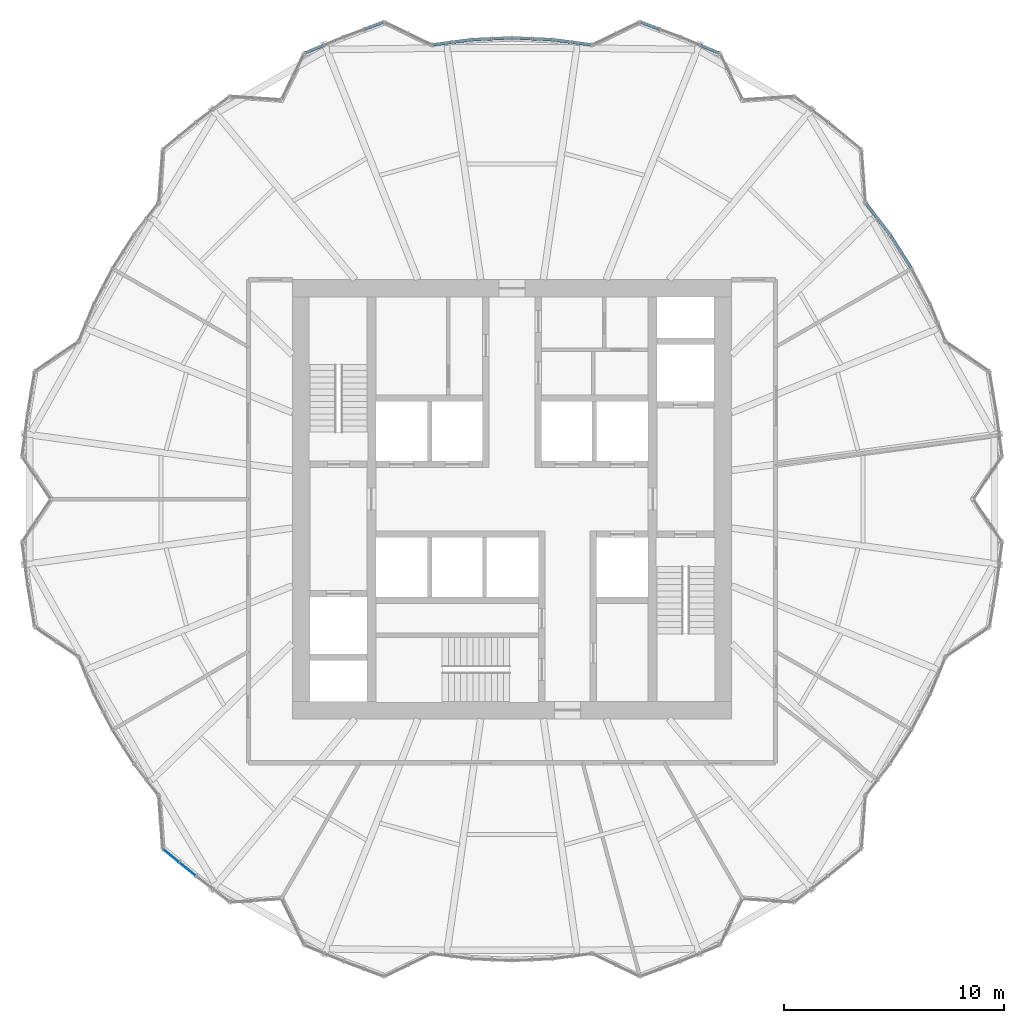
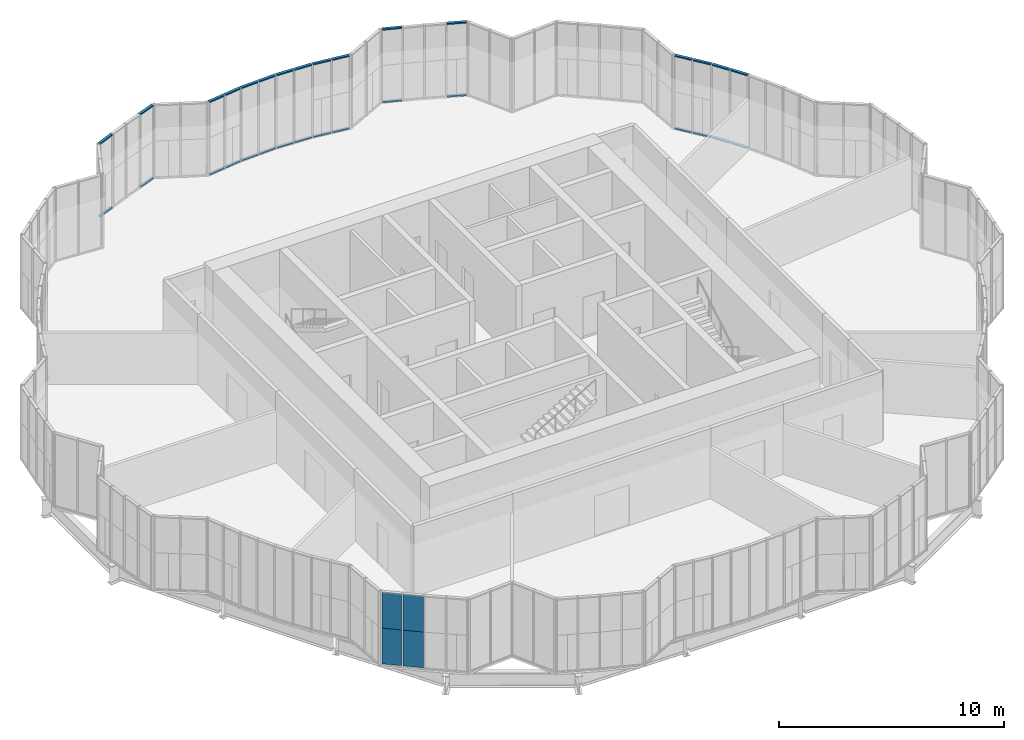
# One storey, part 11 of 22: 32 members, 4 plates, 11 elements without a shape of their own.
"""IFC4 building model written with IfcOpenShell, lengths in metres."""

from ifc_helpers import new_model, si_unit, direction, frame, origin, origin_2d, place, context, subcontext, project, spatial, rectangle, extrude, material, layer, layer_set, material_profile, profile_set, type_object, element, aggregate, save


model = new_model("IFC4")

# Units and contexts
model_context = context("Model", 3, precision=1e-05, world=origin(), true_north=direction((0.0, 1.0)))
body_context = subcontext(model_context, "Body", "Model", "MODEL_VIEW")
ifc_project = project(units=[si_unit("LENGTHUNIT", "METRE"), si_unit("AREAUNIT", "SQUARE_METRE"), si_unit("VOLUMEUNIT", "CUBIC_METRE"), si_unit("PLANEANGLEUNIT", "RADIAN"), si_unit("MASSUNIT", "GRAM", prefix="KILO")], contexts=[model_context])

# Site, building, storey
site_placement = place(None, origin())
site = spatial("IfcSite", under=ifc_project, at=site_placement, CompositionType="ELEMENT")
building_placement = place(site_placement, origin())
building = spatial("IfcBuilding", under=site, at=building_placement, Name="Golbaran Civic Tower", CompositionType="ELEMENT")
storey_placement = place(building_placement, frame((0.0, 0.0, 29.0)))
storey = spatial("IfcBuildingStorey", under=building, at=storey_placement, Name="L06", CompositionType="ELEMENT", Elevation=29.0)

# Curtain wall, members
ifc_material_1 = material(Name="Aluminium and glass", Category="aluminium")
curtain_wall_type = type_object("IfcCurtainWallType", Name="INNER SKIN CURTAIN WALL", PredefinedType="NOTDEFINED", material=ifc_material_1)
curtain_wall_1_placement = place(storey_placement, origin())
curtain_wall_1 = element("IfcCurtainWall", 1, at=curtain_wall_1_placement, inside=storey, type_object=curtain_wall_type, Name="Inner skin L06 facet 7 CW1", ObjectType="INNER SKIN", PredefinedType="USERDEFINED")
ifc_material_2 = material(Name="Aluminium", Category="aluminium")
ifc_material_profile = material_profile(ifc_material_2, rectangle(XDim=0.139892578125, YDim=0.06494140625, at=origin_2d()), Name="INNER SKIN CURTAIN WALL TRANSOM")
ifc_profile_set = profile_set([ifc_material_profile], Name="Aluminium")
member_type = type_object("IfcMemberType", Name="INNER SKIN CURTAIN WALL TRANSOM", PredefinedType="USERDEFINED", material=ifc_profile_set)
member_1_placement = place(storey_placement, frame((18.17333984375, 10.530029296875, 0.032470703125), z_axis=(-0.537302349411, 0.843389699556, 0.0), x_axis=(-0.843389699556, -0.537302349411, 0.0)))
member_1 = element("IfcMember", 2, at=member_1_placement, type_object=member_type, Name="CW1 transom 1.1", ObjectType="TRANSOM", PredefinedType="USERDEFINED", context=body_context, shape_type="SweptSolid", body=[
    extrude(rectangle(XDim=0.139892578125, YDim=0.06494140625, at=origin_2d()), origin(), (0.0, 0.0, 1.0), 0.85107421875),
])
member_2_placement = place(storey_placement, frame((18.17333984375, 10.530029296875, 3.967529296875), z_axis=(-0.537302349411, 0.843389699556, 0.0), x_axis=(-0.843389699556, -0.537302349411, 0.0)))
member_2 = element("IfcMember", 3, at=member_2_placement, type_object=member_type, Name="CW1 transom 1.2", ObjectType="TRANSOM", PredefinedType="USERDEFINED", context=body_context, shape_type="SweptSolid", body=[
    extrude(rectangle(XDim=0.139892578125, YDim=0.06494140625, at=origin_2d()), origin(), (0.0, 0.0, 1.0), 0.85107421875),
])
member_3_placement = place(storey_placement, frame((17.68115234375, 11.302734375, 0.032470703125), z_axis=(-0.537506352684, 0.843259699514, 0.0), x_axis=(-0.843259699514, -0.537506352684, 0.0)))
member_3 = element("IfcMember", 4, at=member_3_placement, type_object=member_type, Name="CW1 transom 2.1", ObjectType="TRANSOM", PredefinedType="USERDEFINED", context=body_context, shape_type="SweptSolid", body=[
    extrude(rectangle(XDim=0.139892578125, YDim=0.06494140625, at=origin_2d()), origin(), (0.0, 0.0, 1.0), 0.85107421875),
])
member_4_placement = place(storey_placement, frame((17.68115234375, 11.302734375, 3.967529296875), z_axis=(-0.537506352684, 0.843259699514, 0.0), x_axis=(-0.843259699514, -0.537506352684, 0.0)))
member_4 = element("IfcMember", 5, at=member_4_placement, type_object=member_type, Name="CW1 transom 2.2", ObjectType="TRANSOM", PredefinedType="USERDEFINED", context=body_context, shape_type="SweptSolid", body=[
    extrude(rectangle(XDim=0.139892578125, YDim=0.06494140625, at=origin_2d()), origin(), (0.0, 0.0, 1.0), 0.85107421875),
])
aggregate(curtain_wall_1, [member_1, member_2, member_3, member_4])

curtain_wall_2_placement = place(storey_placement, origin())
curtain_wall_2 = element("IfcCurtainWall", 6, at=curtain_wall_2_placement, inside=storey, type_object=curtain_wall_type, Name="Inner skin L06 facet 8 CW1", ObjectType="INNER SKIN", PredefinedType="USERDEFINED")
member_5_placement = place(storey_placement, frame((17.1865234375, 12.07373046875, 0.032470703125), z_axis=(-0.608864956283, 0.793273890287, 0.0), x_axis=(-0.793273890287, -0.608864956283, 0.0)))
member_5 = element("IfcMember", 7, at=member_5_placement, type_object=member_type, Name="CW1 transom 1.1", ObjectType="TRANSOM", PredefinedType="USERDEFINED", context=body_context, shape_type="SweptSolid", body=[
    extrude(rectangle(XDim=0.139892578125, YDim=0.06494140625, at=origin_2d()), origin(), (0.0, 0.0, 1.0), 0.851318359375),
])
member_6_placement = place(storey_placement, frame((17.1865234375, 12.07373046875, 3.967529296875), z_axis=(-0.608864956283, 0.793273890287, 0.0), x_axis=(-0.793273890287, -0.608864956283, 0.0)))
member_6 = element("IfcMember", 8, at=member_6_placement, type_object=member_type, Name="CW1 transom 1.2", ObjectType="TRANSOM", PredefinedType="USERDEFINED", context=body_context, shape_type="SweptSolid", body=[
    extrude(rectangle(XDim=0.139892578125, YDim=0.06494140625, at=origin_2d()), origin(), (0.0, 0.0, 1.0), 0.851318359375),
])
member_7_placement = place(storey_placement, frame((16.628662109375, 12.800537109375, 0.032470703125), z_axis=(-0.608600551426, 0.793476760091, 0.0), x_axis=(-0.793476760091, -0.608600551426, 0.0)))
member_7 = element("IfcMember", 9, at=member_7_placement, type_object=member_type, Name="CW1 transom 2.1", ObjectType="TRANSOM", PredefinedType="USERDEFINED", context=body_context, shape_type="SweptSolid", body=[
    extrude(rectangle(XDim=0.139892578125, YDim=0.06494140625, at=origin_2d()), origin(), (0.0, 0.0, 1.0), 0.81884765625),
])
member_8_placement = place(storey_placement, frame((16.628662109375, 12.800537109375, 3.967529296875), z_axis=(-0.608600551426, 0.793476760091, 0.0), x_axis=(-0.793476760091, -0.608600551426, 0.0)))
member_8 = element("IfcMember", 10, at=member_8_placement, type_object=member_type, Name="CW1 transom 2.2", ObjectType="TRANSOM", PredefinedType="USERDEFINED", context=body_context, shape_type="SweptSolid", body=[
    extrude(rectangle(XDim=0.139892578125, YDim=0.06494140625, at=origin_2d()), origin(), (0.0, 0.0, 1.0), 0.81884765625),
])
aggregate(curtain_wall_2, [member_5, member_6, member_7, member_8])

curtain_wall_3_placement = place(storey_placement, origin())
curtain_wall_3 = element("IfcCurtainWall", 11, at=curtain_wall_3_placement, inside=storey, type_object=curtain_wall_type, Name="Inner skin L06 facet 14 CW1", ObjectType="INNER SKIN", PredefinedType="USERDEFINED")
member_9_placement = place(storey_placement, frame((9.40576171875, 20.324462890625, 0.032470703125), z_axis=(-0.923928870591, 0.382564297979, 0.0), x_axis=(-0.382564297979, -0.923928870591, 0.0)))
member_9 = element("IfcMember", 12, at=member_9_placement, type_object=member_type, Name="CW1 transom 1.1", ObjectType="TRANSOM", PredefinedType="USERDEFINED", context=body_context, shape_type="SweptSolid", body=[
    extrude(rectangle(XDim=0.139892578125, YDim=0.06494140625, at=origin_2d()), origin(), (0.0, 0.0, 1.0), 0.87939453125),
])
member_10_placement = place(storey_placement, frame((9.40576171875, 20.324462890625, 3.967529296875), z_axis=(-0.923928870591, 0.382564297979, 0.0), x_axis=(-0.382564297979, -0.923928870591, 0.0)))
member_10 = element("IfcMember", 13, at=member_10_placement, type_object=member_type, Name="CW1 transom 1.2", ObjectType="TRANSOM", PredefinedType="USERDEFINED", context=body_context, shape_type="SweptSolid", body=[
    extrude(rectangle(XDim=0.139892578125, YDim=0.06494140625, at=origin_2d()), origin(), (0.0, 0.0, 1.0), 0.87939453125),
])
aggregate(curtain_wall_3, [member_9, member_10])

curtain_wall_4_placement = place(storey_placement, origin())
curtain_wall_4 = element("IfcCurtainWall", 14, at=curtain_wall_4_placement, inside=storey, type_object=curtain_wall_type, Name="Inner skin L06 facet 15 CW1", ObjectType="INNER SKIN", PredefinedType="USERDEFINED")
member_11_placement = place(storey_placement, frame((6.7119140625, 21.402587890625, 0.032470703125), z_axis=(-0.936465417096, 0.350759921575, 0.0), x_axis=(-0.350759921575, -0.936465417096, 0.0)))
member_11 = element("IfcMember", 15, at=member_11_placement, type_object=member_type, Name="CW1 transom 2.1", ObjectType="TRANSOM", PredefinedType="USERDEFINED", context=body_context, shape_type="SweptSolid", body=[
    extrude(rectangle(XDim=0.139892578125, YDim=0.06494140625, at=origin_2d()), origin(), (0.0, 0.0, 1.0), 0.88330078125),
])
member_12_placement = place(storey_placement, frame((6.7119140625, 21.402587890625, 3.967529296875), z_axis=(-0.936465417096, 0.350759921575, 0.0), x_axis=(-0.350759921575, -0.936465417096, 0.0)))
member_12 = element("IfcMember", 16, at=member_12_placement, type_object=member_type, Name="CW1 transom 2.2", ObjectType="TRANSOM", PredefinedType="USERDEFINED", context=body_context, shape_type="SweptSolid", body=[
    extrude(rectangle(XDim=0.139892578125, YDim=0.06494140625, at=origin_2d()), origin(), (0.0, 0.0, 1.0), 0.88330078125),
])
aggregate(curtain_wall_4, [member_11, member_12])

curtain_wall_5_placement = place(storey_placement, origin())
curtain_wall_5 = element("IfcCurtainWall", 17, at=curtain_wall_5_placement, inside=storey, type_object=curtain_wall_type, Name="Inner skin L06 facet 17 CW1", ObjectType="INNER SKIN", PredefinedType="USERDEFINED")
member_13_placement = place(storey_placement, frame((3.5830078125, 20.6943359375, 0.032470703125), z_axis=(-0.99143500172, 0.130601061881, 0.0), x_axis=(-0.130601061881, -0.99143500172, 0.0)))
member_13 = element("IfcMember", 18, at=member_13_placement, type_object=member_type, Name="CW1 transom 1.1", ObjectType="TRANSOM", PredefinedType="USERDEFINED", context=body_context, shape_type="SweptSolid", body=[
    extrude(rectangle(XDim=0.139892578125, YDim=0.06494140625, at=origin_2d()), origin(), (0.0, 0.0, 1.0), 0.81884765625),
])
member_14_placement = place(storey_placement, frame((3.5830078125, 20.6943359375, 3.967529296875), z_axis=(-0.99143500172, 0.130601061881, 0.0), x_axis=(-0.130601061881, -0.99143500172, 0.0)))
member_14 = element("IfcMember", 19, at=member_14_placement, type_object=member_type, Name="CW1 transom 1.2", ObjectType="TRANSOM", PredefinedType="USERDEFINED", context=body_context, shape_type="SweptSolid", body=[
    extrude(rectangle(XDim=0.139892578125, YDim=0.06494140625, at=origin_2d()), origin(), (0.0, 0.0, 1.0), 0.81884765625),
])
member_15_placement = place(storey_placement, frame((2.706787109375, 20.809814453125, 0.032470703125), z_axis=(-0.991444528425, 0.13052872119, 0.0), x_axis=(-0.13052872119, -0.991444528425, 0.0)))
member_15 = element("IfcMember", 20, at=member_15_placement, type_object=member_type, Name="CW1 transom 2.1", ObjectType="TRANSOM", PredefinedType="USERDEFINED", context=body_context, shape_type="SweptSolid", body=[
    extrude(rectangle(XDim=0.139892578125, YDim=0.06494140625, at=origin_2d()), origin(), (0.0, 0.0, 1.0), 0.85107421875),
])
member_16_placement = place(storey_placement, frame((2.706787109375, 20.809814453125, 3.967529296875), z_axis=(-0.991444528425, 0.13052872119, 0.0), x_axis=(-0.13052872119, -0.991444528425, 0.0)))
member_16 = element("IfcMember", 21, at=member_16_placement, type_object=member_type, Name="CW1 transom 2.2", ObjectType="TRANSOM", PredefinedType="USERDEFINED", context=body_context, shape_type="SweptSolid", body=[
    extrude(rectangle(XDim=0.139892578125, YDim=0.06494140625, at=origin_2d()), origin(), (0.0, 0.0, 1.0), 0.85107421875),
])
aggregate(curtain_wall_5, [member_13, member_14, member_15, member_16])

curtain_wall_6_placement = place(storey_placement, origin())
curtain_wall_6 = element("IfcCurtainWall", 22, at=curtain_wall_6_placement, inside=storey, type_object=curtain_wall_type, Name="Inner skin L06 facet 18 CW1", ObjectType="INNER SKIN", PredefinedType="USERDEFINED")
member_17_placement = place(storey_placement, frame((1.79833984375, 20.926513671875, 0.032470703125), z_axis=(-0.99904965466, 0.043586552098, 0.0), x_axis=(-0.043586552098, -0.99904965466, 0.0)))
member_17 = element("IfcMember", 23, at=member_17_placement, type_object=member_type, Name="CW1 transom 1.1", ObjectType="TRANSOM", PredefinedType="USERDEFINED", context=body_context, shape_type="SweptSolid", body=[
    extrude(rectangle(XDim=0.139892578125, YDim=0.06494140625, at=origin_2d()), origin(), (0.0, 0.0, 1.0), 0.851318359375),
])
member_18_placement = place(storey_placement, frame((1.79833984375, 20.926513671875, 3.967529296875), z_axis=(-0.99904965466, 0.043586552098, 0.0), x_axis=(-0.043586552098, -0.99904965466, 0.0)))
member_18 = element("IfcMember", 24, at=member_18_placement, type_object=member_type, Name="CW1 transom 1.2", ObjectType="TRANSOM", PredefinedType="USERDEFINED", context=body_context, shape_type="SweptSolid", body=[
    extrude(rectangle(XDim=0.139892578125, YDim=0.06494140625, at=origin_2d()), origin(), (0.0, 0.0, 1.0), 0.851318359375),
])
member_19_placement = place(storey_placement, frame((0.8828125, 20.966552734375, 0.032470703125), z_axis=(-0.999049109655, 0.043599042397, 0.0), x_axis=(-0.043599042397, -0.999049109655, 0.0)))
member_19 = element("IfcMember", 25, at=member_19_placement, type_object=member_type, Name="CW1 transom 2.1", ObjectType="TRANSOM", PredefinedType="USERDEFINED", context=body_context, shape_type="SweptSolid", body=[
    extrude(rectangle(XDim=0.139892578125, YDim=0.06494140625, at=origin_2d()), origin(), (0.0, 0.0, 1.0), 0.85107421875),
])
member_20_placement = place(storey_placement, frame((0.8828125, 20.966552734375, 3.967529296875), z_axis=(-0.999049109655, 0.043599042397, 0.0), x_axis=(-0.043599042397, -0.999049109655, 0.0)))
member_20 = element("IfcMember", 26, at=member_20_placement, type_object=member_type, Name="CW1 transom 2.2", ObjectType="TRANSOM", PredefinedType="USERDEFINED", context=body_context, shape_type="SweptSolid", body=[
    extrude(rectangle(XDim=0.139892578125, YDim=0.06494140625, at=origin_2d()), origin(), (0.0, 0.0, 1.0), 0.85107421875),
])
aggregate(curtain_wall_6, [member_17, member_18, member_19, member_20])

curtain_wall_7_placement = place(storey_placement, origin())
curtain_wall_7 = element("IfcCurtainWall", 27, at=curtain_wall_7_placement, inside=storey, type_object=curtain_wall_type, Name="Inner skin L06 facet 19 CW1", ObjectType="INNER SKIN", PredefinedType="USERDEFINED")
member_21_placement = place(storey_placement, frame((-0.032470703125, 21.003662109375, 0.032470703125), z_axis=(-0.999049109655, -0.043599042397, 0.0), x_axis=(0.043599042397, -0.999049109655, 0.0)))
member_21 = element("IfcMember", 28, at=member_21_placement, type_object=member_type, Name="CW1 transom 1.1", ObjectType="TRANSOM", PredefinedType="USERDEFINED", context=body_context, shape_type="SweptSolid", body=[
    extrude(rectangle(XDim=0.139892578125, YDim=0.06494140625, at=origin_2d()), origin(), (0.0, 0.0, 1.0), 0.85107421875),
])
member_22_placement = place(storey_placement, frame((-0.032470703125, 21.003662109375, 3.967529296875), z_axis=(-0.999049109655, -0.043599042397, 0.0), x_axis=(0.043599042397, -0.999049109655, 0.0)))
member_22 = element("IfcMember", 29, at=member_22_placement, type_object=member_type, Name="CW1 transom 1.2", ObjectType="TRANSOM", PredefinedType="USERDEFINED", context=body_context, shape_type="SweptSolid", body=[
    extrude(rectangle(XDim=0.139892578125, YDim=0.06494140625, at=origin_2d()), origin(), (0.0, 0.0, 1.0), 0.85107421875),
])
member_23_placement = place(storey_placement, frame((-0.94775390625, 20.963623046875, 0.032470703125), z_axis=(-0.99904965466, -0.043586552098, 0.0), x_axis=(0.043586552098, -0.99904965466, 0.0)))
member_23 = element("IfcMember", 30, at=member_23_placement, type_object=member_type, Name="CW1 transom 2.1", ObjectType="TRANSOM", PredefinedType="USERDEFINED", context=body_context, shape_type="SweptSolid", body=[
    extrude(rectangle(XDim=0.139892578125, YDim=0.06494140625, at=origin_2d()), origin(), (0.0, 0.0, 1.0), 0.851318359375),
])
member_24_placement = place(storey_placement, frame((-0.94775390625, 20.963623046875, 3.967529296875), z_axis=(-0.99904965466, -0.043586552098, 0.0), x_axis=(0.043586552098, -0.99904965466, 0.0)))
member_24 = element("IfcMember", 31, at=member_24_placement, type_object=member_type, Name="CW1 transom 2.2", ObjectType="TRANSOM", PredefinedType="USERDEFINED", context=body_context, shape_type="SweptSolid", body=[
    extrude(rectangle(XDim=0.139892578125, YDim=0.06494140625, at=origin_2d()), origin(), (0.0, 0.0, 1.0), 0.851318359375),
])
aggregate(curtain_wall_7, [member_21, member_22, member_23, member_24])

curtain_wall_8_placement = place(storey_placement, origin())
curtain_wall_8 = element("IfcCurtainWall", 32, at=curtain_wall_8_placement, inside=storey, type_object=curtain_wall_type, Name="Inner skin L06 facet 20 CW1", ObjectType="INNER SKIN", PredefinedType="USERDEFINED")
member_25_placement = place(storey_placement, frame((-1.863037109375, 20.9208984375, 0.032470703125), z_axis=(-0.991444528425, -0.13052872119, 0.0), x_axis=(0.13052872119, -0.991444528425, 0.0)))
member_25 = element("IfcMember", 33, at=member_25_placement, type_object=member_type, Name="CW1 transom 1.1", ObjectType="TRANSOM", PredefinedType="USERDEFINED", context=body_context, shape_type="SweptSolid", body=[
    extrude(rectangle(XDim=0.139892578125, YDim=0.06494140625, at=origin_2d()), origin(), (0.0, 0.0, 1.0), 0.85107421875),
])
member_26_placement = place(storey_placement, frame((-1.863037109375, 20.9208984375, 3.967529296875), z_axis=(-0.991444528425, -0.13052872119, 0.0), x_axis=(0.13052872119, -0.991444528425, 0.0)))
member_26 = element("IfcMember", 34, at=member_26_placement, type_object=member_type, Name="CW1 transom 1.2", ObjectType="TRANSOM", PredefinedType="USERDEFINED", context=body_context, shape_type="SweptSolid", body=[
    extrude(rectangle(XDim=0.139892578125, YDim=0.06494140625, at=origin_2d()), origin(), (0.0, 0.0, 1.0), 0.85107421875),
])
member_27_placement = place(storey_placement, frame((-2.771240234375, 20.80126953125, 0.032470703125), z_axis=(-0.99143500172, -0.130601061881, 0.0), x_axis=(0.130601061881, -0.99143500172, 0.0)))
member_27 = element("IfcMember", 35, at=member_27_placement, type_object=member_type, Name="CW1 transom 2.1", ObjectType="TRANSOM", PredefinedType="USERDEFINED", context=body_context, shape_type="SweptSolid", body=[
    extrude(rectangle(XDim=0.139892578125, YDim=0.06494140625, at=origin_2d()), origin(), (0.0, 0.0, 1.0), 0.81884765625),
])
member_28_placement = place(storey_placement, frame((-2.771240234375, 20.80126953125, 3.967529296875), z_axis=(-0.99143500172, -0.130601061881, 0.0), x_axis=(0.130601061881, -0.99143500172, 0.0)))
member_28 = element("IfcMember", 36, at=member_28_placement, type_object=member_type, Name="CW1 transom 2.2", ObjectType="TRANSOM", PredefinedType="USERDEFINED", context=body_context, shape_type="SweptSolid", body=[
    extrude(rectangle(XDim=0.139892578125, YDim=0.06494140625, at=origin_2d()), origin(), (0.0, 0.0, 1.0), 0.81884765625),
])
aggregate(curtain_wall_8, [member_25, member_26, member_27, member_28])

curtain_wall_9_placement = place(storey_placement, origin())
curtain_wall_9 = element("IfcCurtainWall", 37, at=curtain_wall_9_placement, inside=storey, type_object=curtain_wall_type, Name="Inner skin L06 facet 22 CW1", ObjectType="INNER SKIN", PredefinedType="USERDEFINED")
member_29_placement = place(storey_placement, frame((-5.884765625, 21.71240234375, 0.032470703125), z_axis=(-0.936465417096, -0.350759921575, 0.0), x_axis=(0.350759921575, -0.936465417096, 0.0)))
member_29 = element("IfcMember", 38, at=member_29_placement, type_object=member_type, Name="CW1 transom 1.1", ObjectType="TRANSOM", PredefinedType="USERDEFINED", context=body_context, shape_type="SweptSolid", body=[
    extrude(rectangle(XDim=0.139892578125, YDim=0.06494140625, at=origin_2d()), origin(), (0.0, 0.0, 1.0), 0.88330078125),
])
member_30_placement = place(storey_placement, frame((-5.884765625, 21.71240234375, 3.967529296875), z_axis=(-0.936465417096, -0.350759921575, 0.0), x_axis=(0.350759921575, -0.936465417096, 0.0)))
member_30 = element("IfcMember", 39, at=member_30_placement, type_object=member_type, Name="CW1 transom 1.2", ObjectType="TRANSOM", PredefinedType="USERDEFINED", context=body_context, shape_type="SweptSolid", body=[
    extrude(rectangle(XDim=0.139892578125, YDim=0.06494140625, at=origin_2d()), origin(), (0.0, 0.0, 1.0), 0.88330078125),
])
aggregate(curtain_wall_9, [member_29, member_30])

curtain_wall_10_placement = place(storey_placement, origin())
curtain_wall_10 = element("IfcCurtainWall", 40, at=curtain_wall_10_placement, inside=storey, type_object=curtain_wall_type, Name="Inner skin L06 facet 23 CW1", ObjectType="INNER SKIN", PredefinedType="USERDEFINED")
member_31_placement = place(storey_placement, frame((-8.59326171875, 20.660888671875, 0.032470703125), z_axis=(-0.923928870591, -0.382564297979, 0.0), x_axis=(0.382564297979, -0.923928870591, 0.0)))
member_31 = element("IfcMember", 41, at=member_31_placement, type_object=member_type, Name="CW1 transom 2.1", ObjectType="TRANSOM", PredefinedType="USERDEFINED", context=body_context, shape_type="SweptSolid", body=[
    extrude(rectangle(XDim=0.139892578125, YDim=0.06494140625, at=origin_2d()), origin(), (0.0, 0.0, 1.0), 0.87939453125),
])
member_32_placement = place(storey_placement, frame((-8.59326171875, 20.660888671875, 3.967529296875), z_axis=(-0.923928870591, -0.382564297979, 0.0), x_axis=(0.382564297979, -0.923928870591, 0.0)))
member_32 = element("IfcMember", 42, at=member_32_placement, type_object=member_type, Name="CW1 transom 2.2", ObjectType="TRANSOM", PredefinedType="USERDEFINED", context=body_context, shape_type="SweptSolid", body=[
    extrude(rectangle(XDim=0.139892578125, YDim=0.06494140625, at=origin_2d()), origin(), (0.0, 0.0, 1.0), 0.87939453125),
])
aggregate(curtain_wall_10, [member_31, member_32])

# Curtain wall, plates
curtain_wall_11_placement = place(storey_placement, origin())
curtain_wall_11 = element("IfcCurtainWall", 43, at=curtain_wall_11_placement, inside=storey, type_object=curtain_wall_type, Name="Inner skin L06 facet 46 CW1", ObjectType="INNER SKIN", PredefinedType="USERDEFINED")
ifc_material_3 = material(Name="Clear insulating glass", Category="glass")
ifc_layer_1 = layer(ifc_material_3, 0.031982421875, Name="Clear insulating glass")
ifc_layer_set_1 = layer_set([ifc_layer_1], Name="Clear insulating glass")
plate_type_1 = type_object("IfcPlateType", Name="INNER SKIN CURTAIN WALL GLAZED PANEL", PredefinedType="CURTAIN_PANEL", material=ifc_layer_set_1)
plate_1_placement = place(storey_placement, frame((-15.520263671875, -16.2333984375, 0.06494140625), z_axis=(0.0, 0.0, 1.0), x_axis=(0.772032452954, -0.63558311147, 0.0)))
plate_1 = element("IfcPlate", 44, at=plate_1_placement, type_object=plate_type_1, Name="CW1 panel 1.1 part 1", PredefinedType="CURTAIN_PANEL", context=body_context, shape_type="SweptSolid", body=[
    extrude(rectangle(XDim=0.883056640625, YDim=0.031982421875, at=origin_2d()), origin(), (0.0, 0.0, 1.0), 1.93505859375),
])
ifc_material_4 = material(Name="Aluminium faced opaque infill panel", Category="aluminium")
ifc_layer_2 = layer(ifc_material_4, 0.031982421875, Name="Aluminium faced opaque infill panel")
ifc_layer_set_2 = layer_set([ifc_layer_2], Name="Aluminium faced opaque infill panel")
plate_type_2 = type_object("IfcPlateType", Name="INNER SKIN CURTAIN WALL OPAQUE INFILL PANEL", PredefinedType="CURTAIN_PANEL", material=ifc_layer_set_2)
plate_2_placement = place(storey_placement, frame((-15.520263671875, -16.2333984375, 2.0), z_axis=(0.0, 0.0, 1.0), x_axis=(0.772032452954, -0.63558311147, 0.0)))
plate_2 = element("IfcPlate", 45, at=plate_2_placement, type_object=plate_type_2, Name="CW1 infill panel 1.1 part 2", PredefinedType="CURTAIN_PANEL", context=body_context, shape_type="SweptSolid", body=[
    extrude(rectangle(XDim=0.883056640625, YDim=0.031982421875, at=origin_2d()), origin(), (0.0, 0.0, 1.0), 1.93505859375),
])
plate_3_placement = place(storey_placement, frame((-14.775634765625, -16.84619140625, 0.06494140625), z_axis=(0.0, 0.0, 1.0), x_axis=(0.772032452954, -0.63558311147, 0.0)))
plate_3 = element("IfcPlate", 46, at=plate_3_placement, type_object=plate_type_2, Name="CW1 infill panel 2.1 part 1", PredefinedType="CURTAIN_PANEL", context=body_context, shape_type="SweptSolid", body=[
    extrude(rectangle(XDim=0.91552734375, YDim=0.031982421875, at=origin_2d()), origin(), (0.0, 0.0, 1.0), 1.93505859375),
])
plate_4_placement = place(storey_placement, frame((-14.775634765625, -16.84619140625, 2.0), z_axis=(0.0, 0.0, 1.0), x_axis=(0.772032452954, -0.63558311147, 0.0)))
plate_4 = element("IfcPlate", 47, at=plate_4_placement, type_object=plate_type_2, Name="CW1 infill panel 2.1 part 2", PredefinedType="CURTAIN_PANEL", context=body_context, shape_type="SweptSolid", body=[
    extrude(rectangle(XDim=0.91552734375, YDim=0.031982421875, at=origin_2d()), origin(), (0.0, 0.0, 1.0), 1.93505859375),
])
aggregate(curtain_wall_11, [plate_1, plate_2, plate_3, plate_4])

save(model, "model.ifc")
